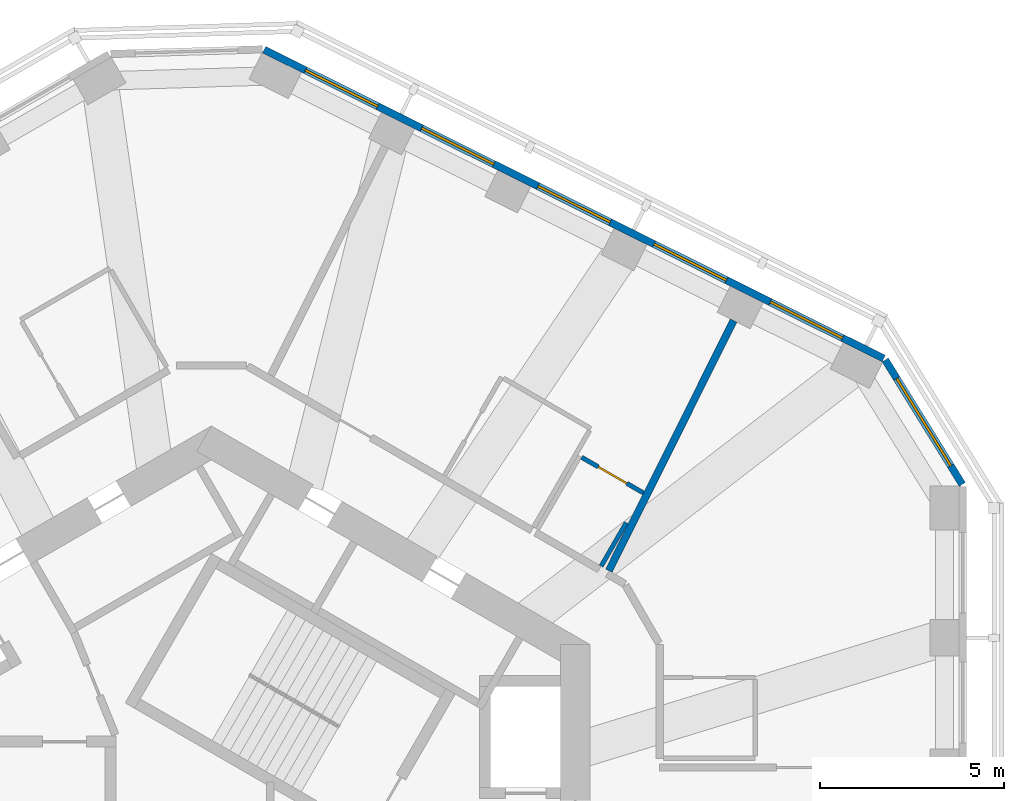
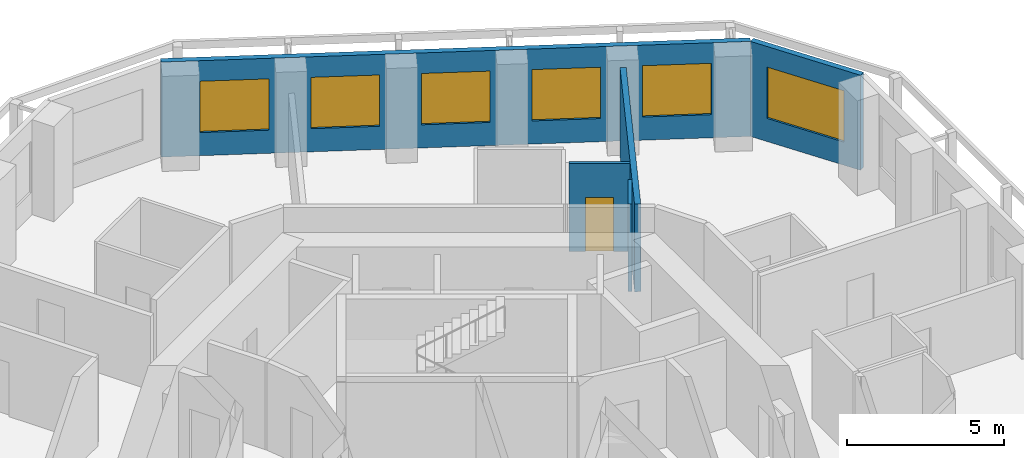
# One storey, part 8 of 11: 6 windows, 5 walls, 1 door, 7 openings.
"""IFC4 building model written with IfcOpenShell, lengths in metres."""

from ifc_helpers import new_model, si_unit, direction, frame, frame_2d, origin, place, context, subcontext, project, spatial, rectangle, extrude, material, layer, layer_set, type_object, element, fill, save


model = new_model("IFC4")

# Units and contexts
model_context = context("Model", 3, precision=1e-05, world=origin(), true_north=direction((0.0, 1.0)))
body_context = subcontext(model_context, "Body", "Model", "MODEL_VIEW")
ifc_project = project(units=[si_unit("LENGTHUNIT", "METRE"), si_unit("AREAUNIT", "SQUARE_METRE"), si_unit("VOLUMEUNIT", "CUBIC_METRE"), si_unit("PLANEANGLEUNIT", "RADIAN"), si_unit("MASSUNIT", "GRAM", prefix="KILO")], contexts=[model_context])

# Site, building, storey
site_placement = place(None, origin())
site = spatial("IfcSite", under=ifc_project, at=site_placement, CompositionType="ELEMENT")
building_placement = place(site_placement, origin())
building = spatial("IfcBuilding", under=site, at=building_placement, Name="Vanh Sen Convention Tower", CompositionType="ELEMENT")
storey_placement = place(building_placement, frame((0.0, 0.0, 221.699951171875)))
storey = spatial("IfcBuildingStorey", under=building, at=storey_placement, Name="L54", CompositionType="ELEMENT", Elevation=221.699951171875)

# Wall, opening, door
ifc_material_1 = material(Name="Moisture-resistant gypsum board on steel studs", Category="steel")
ifc_layer_1 = layer(ifc_material_1, 0.1201171875)
ifc_layer_set_1 = layer_set([ifc_layer_1], Name="Moisture-resistant gypsum board on steel studs")
wall_type_1 = type_object("IfcWallType", Name="Bathroom partition 120", PredefinedType="PARTITIONING", material=ifc_layer_set_1)
wall_1_placement = place(storey_placement, frame((10.077392578125, 11.040283203125, 0.0), z_axis=(0.0, 0.0, 1.0), x_axis=(0.866043088465, -0.499969367985, 0.0)))
wall_1 = element("IfcWall", 1, at=wall_1_placement, inside=storey, type_object=wall_type_1, Name="Bathroom partition 120", PredefinedType="PARTITIONING", context=body_context, shape_type="SweptSolid", body=[
    extrude(rectangle(XDim=1.93994140625, YDim=0.1201171875, at=frame_2d((0.969970703125, 0.0))), origin(), (0.0, 0.0, 1.0), 3.420166015625),
])
opening_1_placement = place(wall_1_placement, frame((0.52001953125, 0.0, 0.0)))
opening_1 = element("IfcOpeningElement", 2, at=opening_1_placement, cuts=wall_1, Name="Opening D52104", PredefinedType="OPENING", context=body_context, shape_type="SweptSolid", body=[
    extrude(rectangle(XDim=0.89990234375, YDim=2.10009765625, at=frame_2d((0.449951171875, 1.050048828125))), frame((0.0, 0.070068359375, 0.0), z_axis=(0.0, -1.0, 0.0), x_axis=(1.0, 0.0, 0.0)), (0.0, 0.0, 1.0), 0.14013671875),
])
ifc_material_2 = material(Name="Laminate door in steel frame", Category="steel")
door_type = type_object("IfcDoorType", Name="Room internal door 900", OperationType="SINGLE_SWING_LEFT", PredefinedType="DOOR", material=ifc_material_2)
door_placement = place(opening_1_placement, origin())
door = element("IfcDoor", 3, at=door_placement, inside=storey, type_object=door_type, Name="Internal room door D52104", OperationType="SINGLE_SWING_LEFT", OverallHeight=2.10009765625, OverallWidth=0.89990234375, PredefinedType="DOOR", context=body_context, shape_type="SweptSolid", body=[
    extrude(rectangle(XDim=0.89990234375, YDim=2.10009765625, at=frame_2d((0.449951171875, 1.050048828125))), frame((0.0, 0.02490234375, 0.0), z_axis=(0.0, -1.0, 0.0), x_axis=(1.0, 0.0, 0.0)), (0.0, 0.0, 1.0), 0.050048828125),
])
fill(opening_1, door)

# Wall
wall_2_placement = place(storey_placement, frame((11.291259765625, 9.262939453125, 0.0), z_axis=(0.0, 0.0, 1.0), x_axis=(-0.500036664704, -0.866004234373, 0.0)))
element("IfcWall", 4, at=wall_2_placement, inside=storey, type_object=wall_type_1, Name="Bathroom partition 120", PredefinedType="PARTITIONING", context=body_context, shape_type="SweptSolid", body=[
    extrude(rectangle(XDim=1.36767578125, YDim=0.1201171875, at=frame_2d((0.683837890625, 0.0))), origin(), (0.0, 0.0, 1.0), 3.420166015625),
])

# Wall, opening, window
ifc_material_3 = material(Name="Insulated lightweight infill wall")
ifc_layer_2 = layer(ifc_material_3, 0.199951171875)
ifc_layer_set_2 = layer_set([ifc_layer_2], Name="Insulated lightweight infill wall")
wall_type_2 = type_object("IfcWallType", Name="External wall 200", PredefinedType="STANDARD", material=ifc_layer_set_2)
wall_3_placement = place(storey_placement, frame((20.43505859375, 10.3037109375, 0.0), z_axis=(0.0, 0.0, 1.0), x_axis=(-0.526202661606, 0.850359194058, 0.0)))
wall_3 = element("IfcWall", 5, at=wall_3_placement, inside=storey, type_object=wall_type_2, Name="External wall CH1 L54", PredefinedType="STANDARD", context=body_context, shape_type="SweptSolid", body=[
    extrude(rectangle(XDim=3.982666015625, YDim=0.199951171875, at=frame_2d((1.9912109375, 0.0))), origin(), (0.0, 0.0, 1.0), 3.699951171875),
])
opening_2_placement = place(wall_3_placement, frame((0.59130859375, 0.0, 0.89990234375)))
opening_2 = element("IfcOpeningElement", 6, at=opening_2_placement, cuts=wall_3, Name="Opening WO4-CH11", PredefinedType="OPENING", context=body_context, shape_type="SweptSolid", body=[
    extrude(rectangle(XDim=2.800048828125, YDim=2.0, at=frame_2d((1.39990234375, 1.0))), frame((0.0, 0.10986328125, 0.0), z_axis=(0.0, -1.0, 0.0), x_axis=(1.0, 0.0, 0.0)), (0.0, 0.0, 1.0), 0.219970703125),
])
ifc_material_4 = material(Name="Aluminium frame with clear low-emissivity glass", Category="aluminium")
window_type_1 = type_object("IfcWindowType", Name="Office window 2800 x 2000", PartitioningType="SINGLE_PANEL", PredefinedType="WINDOW", material=ifc_material_4)
window_1_placement = place(opening_2_placement, origin())
window_1 = element("IfcWindow", 7, at=window_1_placement, inside=storey, type_object=window_type_1, Name="Window WO4-CH11", OverallHeight=2.0, OverallWidth=2.800048828125, PartitioningType="SINGLE_PANEL", PredefinedType="WINDOW", context=body_context, shape_type="SweptSolid", body=[
    extrude(rectangle(XDim=2.800048828125, YDim=2.0, at=frame_2d((1.39990234375, 1.0))), frame((0.0, 0.030029296875, 0.0), z_axis=(0.0, -1.0, 0.0), x_axis=(1.0, 0.0, 0.0)), (0.0, 0.0, 1.0), 0.06005859375),
])
fill(opening_2, window_1)

# Wall, openings, windows
wall_4_placement = place(storey_placement, frame((18.298828125, 13.727294921875, 0.0), z_axis=(0.0, 0.0, 1.0), x_axis=(-0.894934554817, 0.44619742558, 0.0)))
wall_4 = element("IfcWall", 8, at=wall_4_placement, inside=storey, type_object=wall_type_2, Name="External wall NE L54", PredefinedType="STANDARD", context=body_context, shape_type="SweptSolid", body=[
    extrude(rectangle(XDim=18.84130859375, YDim=0.199951171875, at=frame_2d((9.420654296875, 0.0))), origin(), (0.0, 0.0, 1.0), 3.699951171875),
])
opening_3_placement = place(wall_4_placement, frame((1.252685546875, 0.0, 0.89990234375)))
opening_3 = element("IfcOpeningElement", 9, at=opening_3_placement, cuts=wall_4, Name="Opening WO3-NE1", PredefinedType="OPENING", context=body_context, shape_type="SweptSolid", body=[
    extrude(rectangle(XDim=2.199951171875, YDim=2.0, at=frame_2d((1.10009765625, 1.0))), frame((0.0, 0.10986328125, 0.0), z_axis=(0.0, -1.0, 0.0), x_axis=(1.0, 0.0, 0.0)), (0.0, 0.0, 1.0), 0.219970703125),
])
opening_4_placement = place(wall_4_placement, frame((4.7861328125, 0.0, 0.89990234375)))
opening_4 = element("IfcOpeningElement", 10, at=opening_4_placement, cuts=wall_4, Name="Opening WO3-NE2", PredefinedType="OPENING", context=body_context, shape_type="SweptSolid", body=[
    extrude(rectangle(XDim=2.199951171875, YDim=2.0, at=frame_2d((1.10009765625, 1.0))), frame((0.0, 0.10986328125, 0.0), z_axis=(0.0, -1.0, 0.0), x_axis=(1.0, 0.0, 0.0)), (0.0, 0.0, 1.0), 0.219970703125),
])
opening_5_placement = place(wall_4_placement, frame((8.31982421875, 0.0, 0.89990234375)))
opening_5 = element("IfcOpeningElement", 11, at=opening_5_placement, cuts=wall_4, Name="Opening WO3-NE3", PredefinedType="OPENING", context=body_context, shape_type="SweptSolid", body=[
    extrude(rectangle(XDim=2.199951171875, YDim=2.0, at=frame_2d((1.10009765625, 1.0))), frame((0.0, 0.10986328125, 0.0), z_axis=(0.0, -1.0, 0.0), x_axis=(1.0, 0.0, 0.0)), (0.0, 0.0, 1.0), 0.219970703125),
])
opening_6_placement = place(wall_4_placement, frame((11.853515625, 0.0, 0.89990234375)))
opening_6 = element("IfcOpeningElement", 12, at=opening_6_placement, cuts=wall_4, Name="Opening WO3-NE4", PredefinedType="OPENING", context=body_context, shape_type="SweptSolid", body=[
    extrude(rectangle(XDim=2.199951171875, YDim=2.0, at=frame_2d((1.10009765625, 1.0))), frame((0.0, 0.10986328125, 0.0), z_axis=(0.0, -1.0, 0.0), x_axis=(1.0, 0.0, 0.0)), (0.0, 0.0, 1.0), 0.219970703125),
])
opening_7_placement = place(wall_4_placement, frame((15.38720703125, 0.0, 0.89990234375)))
opening_7 = element("IfcOpeningElement", 13, at=opening_7_placement, cuts=wall_4, Name="Opening WO3-NE5", PredefinedType="OPENING", context=body_context, shape_type="SweptSolid", body=[
    extrude(rectangle(XDim=2.199951171875, YDim=2.0, at=frame_2d((1.10009765625, 1.0))), frame((0.0, 0.10986328125, 0.0), z_axis=(0.0, -1.0, 0.0), x_axis=(1.0, 0.0, 0.0)), (0.0, 0.0, 1.0), 0.219970703125),
])
window_type_2 = type_object("IfcWindowType", Name="Office window 2200 x 2000", PartitioningType="SINGLE_PANEL", PredefinedType="WINDOW", material=ifc_material_4)
window_2_placement = place(opening_3_placement, origin())
window_2 = element("IfcWindow", 14, at=window_2_placement, inside=storey, type_object=window_type_2, Name="Window WO3-NE1", OverallHeight=2.0, OverallWidth=2.199951171875, PartitioningType="SINGLE_PANEL", PredefinedType="WINDOW", context=body_context, shape_type="SweptSolid", body=[
    extrude(rectangle(XDim=2.199951171875, YDim=2.0, at=frame_2d((1.10009765625, 1.0))), frame((0.0, 0.030029296875, 0.0), z_axis=(0.0, -1.0, 0.0), x_axis=(1.0, 0.0, 0.0)), (0.0, 0.0, 1.0), 0.06005859375),
])
fill(opening_3, window_2)
window_3_placement = place(opening_4_placement, origin())
window_3 = element("IfcWindow", 15, at=window_3_placement, inside=storey, type_object=window_type_2, Name="Window WO3-NE2", OverallHeight=2.0, OverallWidth=2.199951171875, PartitioningType="SINGLE_PANEL", PredefinedType="WINDOW", context=body_context, shape_type="SweptSolid", body=[
    extrude(rectangle(XDim=2.199951171875, YDim=2.0, at=frame_2d((1.10009765625, 1.0))), frame((0.0, 0.030029296875, 0.0), z_axis=(0.0, -1.0, 0.0), x_axis=(1.0, 0.0, 0.0)), (0.0, 0.0, 1.0), 0.06005859375),
])
fill(opening_4, window_3)
window_4_placement = place(opening_5_placement, origin())
window_4 = element("IfcWindow", 16, at=window_4_placement, inside=storey, type_object=window_type_2, Name="Window WO3-NE3", OverallHeight=2.0, OverallWidth=2.199951171875, PartitioningType="SINGLE_PANEL", PredefinedType="WINDOW", context=body_context, shape_type="SweptSolid", body=[
    extrude(rectangle(XDim=2.199951171875, YDim=2.0, at=frame_2d((1.10009765625, 1.0))), frame((0.0, 0.030029296875, 0.0), z_axis=(0.0, -1.0, 0.0), x_axis=(1.0, 0.0, 0.0)), (0.0, 0.0, 1.0), 0.06005859375),
])
fill(opening_5, window_4)
window_5_placement = place(opening_6_placement, origin())
window_5 = element("IfcWindow", 17, at=window_5_placement, inside=storey, type_object=window_type_2, Name="Window WO3-NE4", OverallHeight=2.0, OverallWidth=2.199951171875, PartitioningType="SINGLE_PANEL", PredefinedType="WINDOW", context=body_context, shape_type="SweptSolid", body=[
    extrude(rectangle(XDim=2.199951171875, YDim=2.0, at=frame_2d((1.10009765625, 1.0))), frame((0.0, 0.030029296875, 0.0), z_axis=(0.0, -1.0, 0.0), x_axis=(1.0, 0.0, 0.0)), (0.0, 0.0, 1.0), 0.06005859375),
])
fill(opening_6, window_5)
window_6_placement = place(opening_7_placement, origin())
window_6 = element("IfcWindow", 18, at=window_6_placement, inside=storey, type_object=window_type_2, Name="Window WO3-NE5", OverallHeight=2.0, OverallWidth=2.199951171875, PartitioningType="SINGLE_PANEL", PredefinedType="WINDOW", context=body_context, shape_type="SweptSolid", body=[
    extrude(rectangle(XDim=2.199951171875, YDim=2.0, at=frame_2d((1.10009765625, 1.0))), frame((0.0, 0.030029296875, 0.0), z_axis=(0.0, -1.0, 0.0), x_axis=(1.0, 0.0, 0.0)), (0.0, 0.0, 1.0), 0.06005859375),
])
fill(opening_7, window_6)

# Wall
ifc_material_5 = material(Name="Gypsum board on steel studs with mineral wool", Category="steel")
ifc_layer_3 = layer(ifc_material_5, 0.199951171875)
ifc_layer_set_3 = layer_set([ifc_layer_3], Name="Gypsum board on steel studs with mineral wool")
wall_type_3 = type_object("IfcWallType", Name="Tenant suite wall 200", PredefinedType="PARTITIONING", material=ifc_layer_set_3)
wall_5_placement = place(storey_placement, frame((14.210693359375, 14.760009765625, 0.0), z_axis=(0.0, 0.0, 1.0), x_axis=(-0.446198490295, -0.89493402397, 0.0)))
element("IfcWall", 19, at=wall_5_placement, inside=storey, type_object=wall_type_3, Name="Tenant suite wall 200", PredefinedType="PARTITIONING", context=body_context, shape_type="SweptSolid", body=[
    extrude(rectangle(XDim=7.602294921875, YDim=0.199951171875, at=frame_2d((3.80126953125, 0.0))), origin(), (0.0, 0.0, 1.0), 3.420166015625),
])

save(model, "model.ifc")
